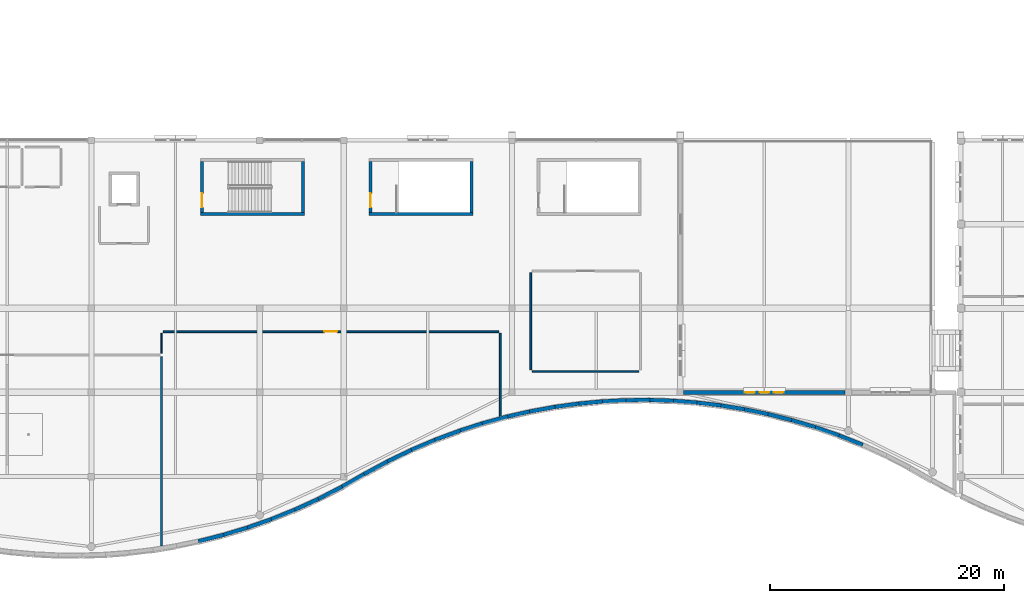
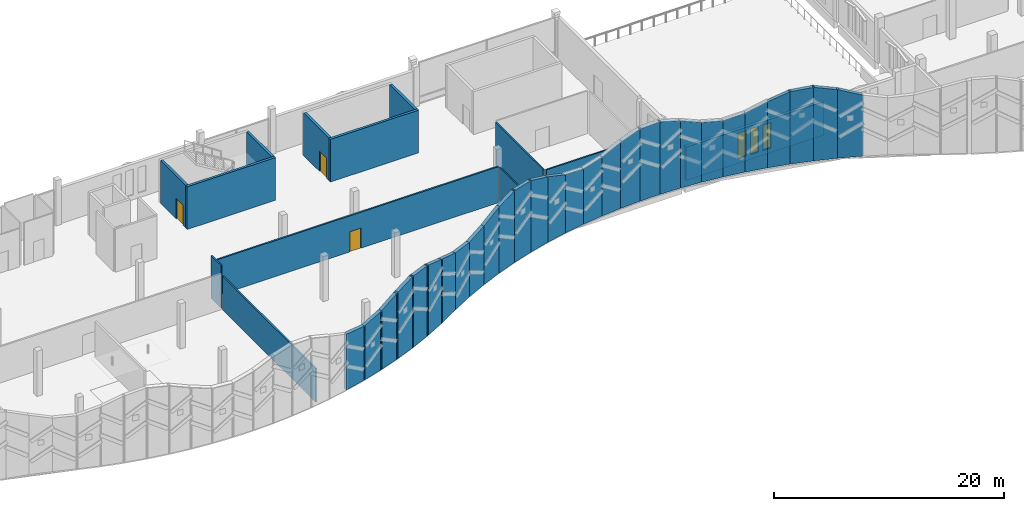
# One storey, part 85 of 116: 41 walls, 3 doors, 3 windows, 6 openings.
"""IFC4 building model written with IfcOpenShell, lengths in metres."""

from ifc_helpers import new_model, si_unit, direction, frame, frame_2d, origin, place, context, subcontext, project, spatial, polyline, rectangle, outline, extrude, material, layer, layer_set, type_object, element, fill, save


model = new_model("IFC4")

# Units and contexts
model_context = context("Model", 3, precision=1e-05, world=origin(), true_north=direction((0.0, 1.0)))
body_context = subcontext(model_context, "Body", "Model", "MODEL_VIEW")
ifc_project = project(units=[si_unit("LENGTHUNIT", "METRE"), si_unit("AREAUNIT", "SQUARE_METRE"), si_unit("VOLUMEUNIT", "CUBIC_METRE"), si_unit("PLANEANGLEUNIT", "RADIAN"), si_unit("MASSUNIT", "GRAM", prefix="KILO")], contexts=[model_context])

# Site, building, storey
site_placement = place(None, origin())
site = spatial("IfcSite", under=ifc_project, at=site_placement, CompositionType="ELEMENT")
building_placement = place(site_placement, origin())
building = spatial("IfcBuilding", under=site, at=building_placement, Name="Cendralis Lancet Convention Centre", CompositionType="ELEMENT")
storey_placement = place(building_placement, frame((0.0, 0.0, 15.0)))
storey = spatial("IfcBuildingStorey", under=building, at=storey_placement, Name="L03", CompositionType="ELEMENT", Elevation=15.0)

# Wall, openings, windows
ifc_material_1 = material(Name="Buff sandstone ashlar and Concrete G40 (C40/50)", Category="masonry")
ifc_layer_1 = layer(ifc_material_1, 0.320068359375, Name="Buff sandstone ashlar and Concrete G40 (C40/50)")
ifc_layer_set_1 = layer_set([ifc_layer_1], Name="Buff sandstone ashlar and Concrete G40 (C40/50)")
wall_type_1 = type_object("IfcWallType", Name="ARC-EW-W320", PredefinedType="STANDARD", material=ifc_layer_set_1)
wall_1_placement = place(storey_placement, frame((108.282958984375, 14.39990234375, 0.0), z_axis=(0.0, 0.0, 1.0), x_axis=(1.0, 0.0, 0.0)))
wall_1 = element("IfcWall", 1, at=wall_1_placement, inside=storey, type_object=wall_type_1, Name="L03 V4 Exterior Wall EW-06 #0226", PredefinedType="STANDARD", context=body_context, shape_type="SweptSolid", body=[
    extrude(rectangle(XDim=13.833984375, YDim=0.320068359375, at=frame_2d((6.9169921875, 0.0))), origin(), (0.0, 0.0, 1.0), 3.56494140625),
])
opening_1_placement = place(wall_1_placement, frame((5.257080078125, 0.0, 0.5)))
opening_1 = element("IfcOpeningElement", 2, at=opening_1_placement, cuts=wall_1, Name="Opening WN-15", PredefinedType="OPENING", context=body_context, shape_type="SweptSolid", body=[
    extrude(rectangle(XDim=0.840087890625, YDim=2.699951171875, at=frame_2d((0.419921875, 1.35009765625))), frame((0.0, 0.169921875, 0.0), z_axis=(0.0, -1.0, 0.0), x_axis=(1.0, 0.0, 0.0)), (0.0, 0.0, 1.0), 0.340087890625),
])
opening_2_placement = place(wall_1_placement, frame((6.51708984375, 0.0, 0.5)))
opening_2 = element("IfcOpeningElement", 3, at=opening_2_placement, cuts=wall_1, Name="Opening WN-07", PredefinedType="OPENING", context=body_context, shape_type="SweptSolid", body=[
    extrude(rectangle(XDim=0.800048828125, YDim=2.75, at=frame_2d((0.39990234375, 1.375))), frame((0.0, 0.169921875, 0.0), z_axis=(0.0, -1.0, 0.0), x_axis=(1.0, 0.0, 0.0)), (0.0, 0.0, 1.0), 0.340087890625),
])
opening_3_placement = place(wall_1_placement, frame((7.737060546875, 0.0, 0.5)))
opening_3 = element("IfcOpeningElement", 4, at=opening_3_placement, cuts=wall_1, Name="Opening WN-15", PredefinedType="OPENING", context=body_context, shape_type="SweptSolid", body=[
    extrude(rectangle(XDim=0.840087890625, YDim=2.699951171875, at=frame_2d((0.419921875, 1.35009765625))), frame((0.0, 0.169921875, 0.0), z_axis=(0.0, -1.0, 0.0), x_axis=(1.0, 0.0, 0.0)), (0.0, 0.0, 1.0), 0.340087890625),
])
ifc_material_2 = material(Name="Double-glazed low-E solar-control glass", Category="glass")
window_type_1 = type_object("IfcWindowType", Name="ARC-WN-LW07", PartitioningType="SINGLE_PANEL", PredefinedType="WINDOW", material=ifc_material_2)
window_1_placement = place(opening_2_placement, origin())
window_1 = element("IfcWindow", 5, at=window_1_placement, inside=storey, type_object=window_type_1, Name="Gothic Lancet Window WN-07 #0458", OverallHeight=2.75, OverallWidth=0.800048828125, PartitioningType="SINGLE_PANEL", PredefinedType="WINDOW", context=body_context, shape_type="SweptSolid", body=[
    extrude(rectangle(XDim=0.800048828125, YDim=2.75, at=frame_2d((0.39990234375, 1.375))), frame((0.0, 0.030029296875, 0.0), z_axis=(0.0, -1.0, 0.0), x_axis=(1.0, 0.0, 0.0)), (0.0, 0.0, 1.0), 0.06005859375),
])
fill(opening_2, window_1)
window_type_2 = type_object("IfcWindowType", Name="ARC-WN-LW15", PartitioningType="SINGLE_PANEL", PredefinedType="WINDOW", material=ifc_material_2)
window_2_placement = place(opening_1_placement, origin())
window_2 = element("IfcWindow", 6, at=window_2_placement, inside=storey, type_object=window_type_2, Name="Gothic Lancet Window WN-15 #0457", OverallHeight=2.699951171875, OverallWidth=0.840087890625, PartitioningType="SINGLE_PANEL", PredefinedType="WINDOW", context=body_context, shape_type="SweptSolid", body=[
    extrude(rectangle(XDim=0.840087890625, YDim=2.699951171875, at=frame_2d((0.419921875, 1.35009765625))), frame((0.0, 0.030029296875, 0.0), z_axis=(0.0, -1.0, 0.0), x_axis=(1.0, 0.0, 0.0)), (0.0, 0.0, 1.0), 0.06005859375),
])
fill(opening_1, window_2)
window_3_placement = place(opening_3_placement, origin())
window_3 = element("IfcWindow", 7, at=window_3_placement, inside=storey, type_object=window_type_2, Name="Gothic Lancet Window WN-15 #0459", OverallHeight=2.699951171875, OverallWidth=0.840087890625, PartitioningType="SINGLE_PANEL", PredefinedType="WINDOW", context=body_context, shape_type="SweptSolid", body=[
    extrude(rectangle(XDim=0.840087890625, YDim=2.699951171875, at=frame_2d((0.419921875, 1.35009765625))), frame((0.0, 0.030029296875, 0.0), z_axis=(0.0, -1.0, 0.0), x_axis=(1.0, 0.0, 0.0)), (0.0, 0.0, 1.0), 0.06005859375),
])
fill(opening_3, window_3)

# Walls
ifc_layer_2 = layer(ifc_material_1, 0.340087890625, Name="Buff sandstone ashlar and Concrete G40 (C40/50)")
ifc_layer_set_2 = layer_set([ifc_layer_2], Name="Buff sandstone ashlar and Concrete G40 (C40/50)")
wall_type_2 = type_object("IfcWallType", Name="ARC-EW-W340", PredefinedType="STANDARD", material=ifc_layer_set_2)
wall_2_placement = place(storey_placement, frame((66.75048828125, 1.656005859375, 0.0), z_axis=(0.0, 0.0, 1.0), x_axis=(0.969258997982, 0.246042668719, 0.0)))
element("IfcWall", 8, at=wall_2_placement, inside=storey, type_object=wall_type_2, Name="South Boulevard Wave Crest Wall L03 WP-034-WP-035", PredefinedType="STANDARD", context=body_context, shape_type="SweptSolid", body=[
    extrude(outline(polyline([(0.0, 0.0), (2.25927734375, 0.0), (2.25927734375, 5.739501953125), (0.0, 5.937255859375), (0.0, 0.0)])), frame((0.0, 0.169921875, 0.0), z_axis=(0.0, -1.0, 0.0), x_axis=(1.0, 0.0, 0.0)), (0.0, 0.0, 1.0), 0.340087890625),
])
wall_3_placement = place(storey_placement, frame((68.776611328125, 2.16650390625, 0.0), z_axis=(0.0, 0.0, 1.0), x_axis=(0.957628994577, 0.288004702643, 0.0)))
element("IfcWall", 9, at=wall_3_placement, inside=storey, type_object=wall_type_2, Name="South Boulevard Wave Crest Wall L03 WP-035-WP-036", PredefinedType="STANDARD", context=body_context, shape_type="SweptSolid", body=[
    extrude(outline(polyline([(0.0, 0.0), (2.284423828125, 0.0), (2.28466796875, 6.259033203125), (0.0, 5.72509765625), (0.0, 0.0)])), frame((0.0, 0.169921875, 0.0), z_axis=(0.0, -1.0, 0.0), x_axis=(1.0, 0.0, 0.0)), (0.0, 0.0, 1.0), 0.340087890625),
])
wall_4_placement = place(storey_placement, frame((70.802734375, 2.77197265625, 0.0), z_axis=(0.0, 0.0, 1.0), x_axis=(0.943963520868, 0.330049801197, 0.0)))
element("IfcWall", 10, at=wall_4_placement, inside=storey, type_object=wall_type_2, Name="South Boulevard Wave Crest Wall L03 WP-036-WP-037", PredefinedType="STANDARD", context=body_context, shape_type="SweptSolid", body=[
    extrude(outline(polyline([(0.0, 0.0), (2.315185546875, 0.0), (2.315185546875, 7.08154296875), (0.0, 6.198974609375), (0.0, 0.0)])), frame((0.0, 0.169921875, 0.0), z_axis=(0.0, -1.0, 0.0), x_axis=(1.0, 0.0, 0.0)), (0.0, 0.0, 1.0), 0.340087890625),
])
wall_5_placement = place(storey_placement, frame((72.8291015625, 3.476318359375, 0.0), z_axis=(0.0, 0.0, 1.0), x_axis=(0.928046758816, 0.372463707563, 0.0)))
element("IfcWall", 11, at=wall_5_placement, inside=storey, type_object=wall_type_2, Name="South Boulevard Wave Crest Wall L03 WP-037-WP-038", PredefinedType="STANDARD", context=body_context, shape_type="SweptSolid", body=[
    extrude(outline(polyline([(0.0, 0.0), (2.353271484375, 0.0), (2.35302734375, 7.6142578125), (0.0, 7.02001953125), (0.0, 0.0)])), frame((0.0, 0.169921875, 0.0), z_axis=(0.0, -1.0, 0.0), x_axis=(1.0, 0.0, 0.0)), (0.0, 0.0, 1.0), 0.340087890625),
])
wall_6_placement = place(storey_placement, frame((74.856689453125, 4.28564453125, 0.0), z_axis=(0.0, 0.0, 1.0), x_axis=(0.909912191501, 0.414800920633, 0.0)))
element("IfcWall", 12, at=wall_6_placement, inside=storey, type_object=wall_type_2, Name="South Boulevard Wave Crest Wall L03 WP-038-WP-039", PredefinedType="STANDARD", context=body_context, shape_type="SweptSolid", body=[
    extrude(outline(polyline([(0.0, 0.0), (2.3955078125, 0.0), (2.3955078125, 7.475341796875), (0.0, 7.5947265625), (0.0, 0.0)])), frame((0.0, 0.169921875, 0.0), z_axis=(0.0, -1.0, 0.0), x_axis=(1.0, 0.0, 0.0)), (0.0, 0.0, 1.0), 0.340087890625),
])
wall_7_placement = place(storey_placement, frame((76.88330078125, 5.205078125, 0.0), z_axis=(0.0, 0.0, 1.0), x_axis=(0.889545097509, 0.456847370024, 0.0)))
element("IfcWall", 13, at=wall_7_placement, inside=storey, type_object=wall_type_2, Name="South Boulevard Wave Crest Wall L03 WP-039-WP-040", PredefinedType="STANDARD", context=body_context, shape_type="SweptSolid", body=[
    extrude(outline(polyline([(0.0, 0.0), (2.446533203125, 0.0), (2.4462890625, 6.774658203125), (0.0, 7.510009765625), (0.0, 0.0)])), frame((0.0, 0.169921875, 0.0), z_axis=(0.0, -1.0, 0.0), x_axis=(1.0, 0.0, 0.0)), (0.0, 0.0, 1.0), 0.340087890625),
])
wall_8_placement = place(storey_placement, frame((78.91015625, 6.241943359375, 0.0), z_axis=(0.0, 0.0, 1.0), x_axis=(0.86862731291, 0.495466034423, 0.0)))
element("IfcWall", 14, at=wall_8_placement, inside=storey, type_object=wall_type_2, Name="South Boulevard Wave Crest Wall L03 WP-040-WP-041", PredefinedType="STANDARD", context=body_context, shape_type="SweptSolid", body=[
    extrude(outline(polyline([(0.0, 0.0), (2.501220703125, 0.0), (2.501220703125, 6.031494140625), (0.0, 6.83544921875), (0.0, 0.0)])), frame((0.0, 0.169921875, 0.0), z_axis=(0.0, -1.0, 0.0), x_axis=(1.0, 0.0, 0.0)), (0.0, 0.0, 1.0), 0.340087890625),
])
wall_9_placement = place(storey_placement, frame((80.93408203125, 7.398681640625, 0.0), z_axis=(0.0, 0.0, 1.0), x_axis=(0.88020761941, 0.474588818593, 0.0)))
element("IfcWall", 15, at=wall_9_placement, inside=storey, type_object=wall_type_2, Name="South Boulevard Wave Crest Wall L03 WP-041-WP-042", PredefinedType="STANDARD", context=body_context, shape_type="SweptSolid", body=[
    extrude(outline(polyline([(0.0, 0.0), (2.470703125, 0.0), (2.470703125, 5.79638671875), (0.0, 6.07421875), (0.0, 0.0)])), frame((0.0, 0.169921875, 0.0), z_axis=(0.0, -1.0, 0.0), x_axis=(1.0, 0.0, 0.0)), (0.0, 0.0, 1.0), 0.340087890625),
])
wall_10_placement = place(storey_placement, frame((82.95751953125, 8.494140625, 0.0), z_axis=(0.0, 0.0, 1.0), x_axis=(0.901581367557, 0.432609567247, 0.0)))
element("IfcWall", 16, at=wall_10_placement, inside=storey, type_object=wall_type_2, Name="South Boulevard Wave Crest Wall L03 WP-042-WP-043", PredefinedType="STANDARD", context=body_context, shape_type="SweptSolid", body=[
    extrude(outline(polyline([(0.0, 0.0), (2.4169921875, 0.0), (2.4169921875, 6.2509765625), (0.0, 5.789306640625), (0.0, 0.0)])), frame((0.0, 0.169921875, 0.0), z_axis=(0.0, -1.0, 0.0), x_axis=(1.0, 0.0, 0.0)), (0.0, 0.0, 1.0), 0.340087890625),
])
wall_11_placement = place(storey_placement, frame((84.981689453125, 9.4697265625, 0.0), z_axis=(0.0, 0.0, 1.0), x_axis=(0.920731016791, 0.39019789174, 0.0)))
element("IfcWall", 17, at=wall_11_placement, inside=storey, type_object=wall_type_2, Name="South Boulevard Wave Crest Wall L03 WP-043-WP-044", PredefinedType="STANDARD", context=body_context, shape_type="SweptSolid", body=[
    extrude(outline(polyline([(0.0, 0.0), (2.369384765625, 0.0), (2.369384765625, 7.06982421875), (0.0, 6.196533203125), (0.0, 0.0)])), frame((0.0, 0.169921875, 0.0), z_axis=(0.0, -1.0, 0.0), x_axis=(1.0, 0.0, 0.0)), (0.0, 0.0, 1.0), 0.340087890625),
])
wall_12_placement = place(storey_placement, frame((87.00537109375, 10.331298828125, 0.0), z_axis=(0.0, 0.0, 1.0), x_axis=(0.937431134524, 0.348170745504, 0.0)))
element("IfcWall", 18, at=wall_12_placement, inside=storey, type_object=wall_type_2, Name="South Boulevard Wave Crest Wall L03 WP-044-WP-045", PredefinedType="STANDARD", context=body_context, shape_type="SweptSolid", body=[
    extrude(outline(polyline([(0.0, 0.0), (2.330078125, 0.0), (2.330078125, 7.6611328125), (0.0, 7.00634765625), (0.0, 0.0)])), frame((0.0, 0.169921875, 0.0), z_axis=(0.0, -1.0, 0.0), x_axis=(1.0, 0.0, 0.0)), (0.0, 0.0, 1.0), 0.340087890625),
])
wall_13_placement = place(storey_placement, frame((89.029052734375, 11.0869140625, 0.0), z_axis=(0.0, 0.0, 1.0), x_axis=(0.951998698531, 0.306102071203, 0.0)))
element("IfcWall", 19, at=wall_13_placement, inside=storey, type_object=wall_type_2, Name="South Boulevard Wave Crest Wall L03 WP-045-WP-046", PredefinedType="STANDARD", context=body_context, shape_type="SweptSolid", body=[
    extrude(outline(polyline([(0.0, 0.0), (2.297119140625, 0.0), (2.297119140625, 7.60009765625), (0.0, 7.635009765625), (0.0, 0.0)])), frame((0.0, 0.169921875, 0.0), z_axis=(0.0, -1.0, 0.0), x_axis=(1.0, 0.0, 0.0)), (0.0, 0.0, 1.0), 0.340087890625),
])
wall_14_placement = place(storey_placement, frame((91.052978515625, 11.74169921875, 0.0), z_axis=(0.0, 0.0, 1.0), x_axis=(0.964609795195, 0.263681518151, 0.0)))
element("IfcWall", 20, at=wall_14_placement, inside=storey, type_object=wall_type_2, Name="South Boulevard Wave Crest Wall L03 WP-046-WP-047", PredefinedType="STANDARD", context=body_context, shape_type="SweptSolid", body=[
    extrude(outline(polyline([(0.0, 0.0), (2.270263671875, 0.0), (2.2705078125, 6.938720703125), (0.0, 7.631103515625), (0.0, 0.0)])), frame((0.0, 0.169921875, 0.0), z_axis=(0.0, -1.0, 0.0), x_axis=(1.0, 0.0, 0.0)), (0.0, 0.0, 1.0), 0.340087890625),
])
wall_15_placement = place(storey_placement, frame((93.078125, 12.29931640625, 0.0), z_axis=(0.0, 0.0, 1.0), x_axis=(0.97525761738, 0.221071435835, 0.0)))
element("IfcWall", 21, at=wall_15_placement, inside=storey, type_object=wall_type_2, Name="South Boulevard Wave Crest Wall L03 WP-047-WP-048", PredefinedType="STANDARD", context=body_context, shape_type="SweptSolid", body=[
    extrude(outline(polyline([(0.0, 0.0), (2.246337890625, 0.0), (2.246337890625, 6.169677734375), (0.0, 7.0048828125), (0.0, 0.0)])), frame((0.0, 0.169921875, 0.0), z_axis=(0.0, -1.0, 0.0), x_axis=(1.0, 0.0, 0.0)), (0.0, 0.0, 1.0), 0.340087890625),
])
wall_16_placement = place(storey_placement, frame((95.102294921875, 12.76171875, 0.0), z_axis=(0.0, 0.0, 1.0), x_axis=(0.983806745021, 0.179232498313, 0.0)))
element("IfcWall", 22, at=wall_16_placement, inside=storey, type_object=wall_type_2, Name="South Boulevard Wave Crest Wall L03 WP-048-WP-049", PredefinedType="STANDARD", context=body_context, shape_type="SweptSolid", body=[
    extrude(outline(polyline([(0.0, 0.0), (2.228515625, 0.0), (2.228271484375, 5.86328125), (0.0, 6.221923828125), (0.0, 0.0)])), frame((0.0, 0.169921875, 0.0), z_axis=(0.0, -1.0, 0.0), x_axis=(1.0, 0.0, 0.0)), (0.0, 0.0, 1.0), 0.340087890625),
])
wall_17_placement = place(storey_placement, frame((97.126708984375, 13.134521484375, 0.0), z_axis=(0.0, 0.0, 1.0), x_axis=(0.990595897683, 0.136820201338, 0.0)))
element("IfcWall", 23, at=wall_17_placement, inside=storey, type_object=wall_type_2, Name="South Boulevard Wave Crest Wall L03 WP-049-WP-050", PredefinedType="STANDARD", context=body_context, shape_type="SweptSolid", body=[
    extrude(outline(polyline([(0.0, 0.0), (2.21435546875, 0.0), (2.21435546875, 6.251708984375), (0.0, 5.8623046875), (0.0, 0.0)])), frame((0.0, 0.169921875, 0.0), z_axis=(0.0, -1.0, 0.0), x_axis=(1.0, 0.0, 0.0)), (0.0, 0.0, 1.0), 0.340087890625),
])
wall_18_placement = place(storey_placement, frame((99.1513671875, 13.41796875, 0.0), z_axis=(0.0, 0.0, 1.0), x_axis=(0.995489001927, 0.094877010081, 0.0)))
element("IfcWall", 24, at=wall_18_placement, inside=storey, type_object=wall_type_2, Name="South Boulevard Wave Crest Wall L03 WP-050-WP-051", PredefinedType="STANDARD", context=body_context, shape_type="SweptSolid", body=[
    extrude(outline(polyline([(0.0, 0.0), (2.205322265625, 0.0), (2.205078125, 7.058349609375), (0.0, 6.1962890625), (0.0, 0.0)])), frame((0.0, 0.169921875, 0.0), z_axis=(0.0, -1.0, 0.0), x_axis=(1.0, 0.0, 0.0)), (0.0, 0.0, 1.0), 0.340087890625),
])
wall_19_placement = place(storey_placement, frame((101.177001953125, 13.614501953125, 0.0), z_axis=(0.0, 0.0, 1.0), x_axis=(0.998607068728, 0.052762887391, 0.0)))
element("IfcWall", 25, at=wall_19_placement, inside=storey, type_object=wall_type_2, Name="South Boulevard Wave Crest Wall L03 WP-051-WP-052", PredefinedType="STANDARD", context=body_context, shape_type="SweptSolid", body=[
    extrude(outline(polyline([(0.0, 0.0), (2.197998046875, 0.0), (2.197998046875, 7.70068359375), (0.0, 6.988525390625), (0.0, 0.0)])), frame((0.0, 0.169921875, 0.0), z_axis=(0.0, -1.0, 0.0), x_axis=(1.0, 0.0, 0.0)), (0.0, 0.0, 1.0), 0.340087890625),
])
wall_20_placement = place(storey_placement, frame((103.201904296875, 13.72509765625, 0.0), z_axis=(0.0, 0.0, 1.0), x_axis=(0.999946508465, 0.010343123711, 0.0)))
element("IfcWall", 26, at=wall_20_placement, inside=storey, type_object=wall_type_2, Name="South Boulevard Wave Crest Wall L03 WP-052-WP-053", PredefinedType="STANDARD", context=body_context, shape_type="SweptSolid", body=[
    extrude(outline(polyline([(0.0, 0.0), (2.195068359375, 0.0), (2.195068359375, 7.716796875), (0.0, 7.666748046875), (0.0, 0.0)])), frame((0.0, 0.169921875, 0.0), z_axis=(0.0, -1.0, 0.0), x_axis=(1.0, 0.0, 0.0)), (0.0, 0.0, 1.0), 0.340087890625),
])
wall_21_placement = place(storey_placement, frame((105.22705078125, 13.749755859375, 0.0), z_axis=(0.0, 0.0, 1.0), x_axis=(0.999501499211, -0.031571396483, 0.0)))
element("IfcWall", 27, at=wall_21_placement, inside=storey, type_object=wall_type_2, Name="South Boulevard Wave Crest Wall L03 WP-053-WP-054", PredefinedType="STANDARD", context=body_context, shape_type="SweptSolid", body=[
    extrude(outline(polyline([(0.0, 0.0), (2.196044921875, 0.0), (2.196044921875, 7.10302734375), (0.0, 7.7431640625), (0.0, 0.0)])), frame((0.0, 0.169921875, 0.0), z_axis=(0.0, -1.0, 0.0), x_axis=(1.0, 0.0, 0.0)), (0.0, 0.0, 1.0), 0.340087890625),
])
wall_22_placement = place(storey_placement, frame((107.252197265625, 13.689208984375, 0.0), z_axis=(0.0, 0.0, 1.0), x_axis=(0.997266543485, -0.073888031812, 0.0)))
element("IfcWall", 28, at=wall_22_placement, inside=storey, type_object=wall_type_2, Name="South Boulevard Wave Crest Wall L03 WP-054-WP-055", PredefinedType="STANDARD", context=body_context, shape_type="SweptSolid", body=[
    extrude(outline(polyline([(0.0, 0.0), (2.20068359375, 0.0), (2.20068359375, 6.31591796875), (0.0, 7.16943359375), (0.0, 0.0)])), frame((0.0, 0.169921875, 0.0), z_axis=(0.0, -1.0, 0.0), x_axis=(1.0, 0.0, 0.0)), (0.0, 0.0, 1.0), 0.340087890625),
])
wall_23_placement = place(storey_placement, frame((109.277587890625, 13.54296875, 0.0), z_axis=(0.0, 0.0, 1.0), x_axis=(0.993222810679, -0.116225850593, 0.0)))
element("IfcWall", 29, at=wall_23_placement, inside=storey, type_object=wall_type_2, Name="South Boulevard Wave Crest Wall L03 WP-055-WP-056", PredefinedType="STANDARD", context=body_context, shape_type="SweptSolid", body=[
    extrude(outline(polyline([(0.0, 0.0), (2.209716796875, 0.0), (2.209716796875, 5.938720703125), (0.0, 6.373046875), (0.0, 0.0)])), frame((0.0, 0.169921875, 0.0), z_axis=(0.0, -1.0, 0.0), x_axis=(1.0, 0.0, 0.0)), (0.0, 0.0, 1.0), 0.340087890625),
])
wall_24_placement = place(storey_placement, frame((111.30419921875, 13.3095703125, 0.0), z_axis=(0.0, 0.0, 1.0), x_axis=(0.987354042935, -0.158530734875, 0.0)))
element("IfcWall", 30, at=wall_24_placement, inside=storey, type_object=wall_type_2, Name="South Boulevard Wave Crest Wall L03 WP-056-WP-057", PredefinedType="STANDARD", context=body_context, shape_type="SweptSolid", body=[
    extrude(outline(polyline([(0.0, 0.0), (2.220703125, 0.0), (2.220947265625, 6.255126953125), (0.0, 5.9443359375), (0.0, 0.0)])), frame((0.0, 0.169921875, 0.0), z_axis=(0.0, -1.0, 0.0), x_axis=(1.0, 0.0, 0.0)), (0.0, 0.0, 1.0), 0.340087890625),
])
wall_25_placement = place(storey_placement, frame((113.32958984375, 12.988037109375, 0.0), z_axis=(0.0, 0.0, 1.0), x_axis=(0.979633533844, -0.200793773229, 0.0)))
element("IfcWall", 31, at=wall_25_placement, inside=storey, type_object=wall_type_2, Name="South Boulevard Wave Crest Wall L03 WP-057-WP-058", PredefinedType="STANDARD", context=body_context, shape_type="SweptSolid", body=[
    extrude(outline(polyline([(0.0, 0.0), (2.2373046875, 0.0), (2.2373046875, 7.041259765625), (0.0, 6.205078125), (0.0, 0.0)])), frame((0.0, 0.169921875, 0.0), z_axis=(0.0, -1.0, 0.0), x_axis=(1.0, 0.0, 0.0)), (0.0, 0.0, 1.0), 0.340087890625),
])
wall_26_placement = place(storey_placement, frame((115.35546875, 12.57666015625, 0.0), z_axis=(0.0, 0.0, 1.0), x_axis=(0.970155222992, -0.242484727976, 0.0)))
element("IfcWall", 32, at=wall_26_placement, inside=storey, type_object=wall_type_2, Name="South Boulevard Wave Crest Wall L03 WP-058-WP-059", PredefinedType="STANDARD", context=body_context, shape_type="SweptSolid", body=[
    extrude(outline(polyline([(0.0, 0.0), (2.25732421875, 0.0), (2.25732421875, 7.73046875), (0.0, 6.97216796875), (0.0, 0.0)])), frame((0.0, 0.169921875, 0.0), z_axis=(0.0, -1.0, 0.0), x_axis=(1.0, 0.0, 0.0)), (0.0, 0.0, 1.0), 0.340087890625),
])
wall_27_placement = place(storey_placement, frame((117.381591796875, 12.07421875, 0.0), z_axis=(0.0, 0.0, 1.0), x_axis=(0.958465298996, -0.285209169944, 0.0)))
element("IfcWall", 33, at=wall_27_placement, inside=storey, type_object=wall_type_2, Name="South Boulevard Wave Crest Wall L03 WP-059-WP-060", PredefinedType="STANDARD", context=body_context, shape_type="SweptSolid", body=[
    extrude(outline(polyline([(0.0, 0.0), (2.283935546875, 0.0), (2.283935546875, 7.82666015625), (0.0, 7.692138671875), (0.0, 0.0)])), frame((0.0, 0.169921875, 0.0), z_axis=(0.0, -1.0, 0.0), x_axis=(1.0, 0.0, 0.0)), (0.0, 0.0, 1.0), 0.340087890625),
])
wall_28_placement = place(storey_placement, frame((119.40869140625, 11.474853515625, 0.0), z_axis=(0.0, 0.0, 1.0), x_axis=(0.944978543107, -0.327132317369, 0.0)))
element("IfcWall", 34, at=wall_28_placement, inside=storey, type_object=wall_type_2, Name="South Boulevard Wave Crest Wall L03 WP-060-WP-061", PredefinedType="STANDARD", context=body_context, shape_type="SweptSolid", body=[
    extrude(outline(polyline([(0.0, 0.0), (2.312744140625, 0.0), (2.31298828125, 7.267578125), (0.0, 7.845703125), (0.0, 0.0)])), frame((0.0, 0.169921875, 0.0), z_axis=(0.0, -1.0, 0.0), x_axis=(1.0, 0.0, 0.0)), (0.0, 0.0, 1.0), 0.340087890625),
])
wall_29_placement = place(storey_placement, frame((121.43505859375, 10.77734375, 0.0), z_axis=(0.0, 0.0, 1.0), x_axis=(0.929277325209, -0.369382799887, 0.0)))
element("IfcWall", 35, at=wall_29_placement, inside=storey, type_object=wall_type_2, Name="South Boulevard Wave Crest Wall L03 WP-061-WP-062", PredefinedType="STANDARD", context=body_context, shape_type="SweptSolid", body=[
    extrude(outline(polyline([(0.0, 0.0), (2.348876953125, 0.0), (2.34912109375, 6.4697265625), (0.0, 7.327880859375), (0.0, 0.0)])), frame((0.0, 0.169921875, 0.0), z_axis=(0.0, -1.0, 0.0), x_axis=(1.0, 0.0, 0.0)), (0.0, 0.0, 1.0), 0.340087890625),
])
ifc_material_3 = material(Name="Acoustic fire-rated gypsum board on steel studs", Category="steel")
ifc_layer_3 = layer(ifc_material_3, 0.1201171875, Name="Acoustic fire-rated gypsum board on steel studs")
ifc_layer_set_3 = layer_set([ifc_layer_3], Name="Acoustic fire-rated gypsum board on steel studs")
wall_type_3 = type_object("IfcWallType", Name="ARC-IW-P120", PredefinedType="PARTITIONING", material=ifc_layer_set_3)
wall_30_placement = place(storey_placement, frame((63.60009765625, 17.739990234375, 0.0), z_axis=(0.0, 0.0, 1.0), x_axis=(0.0, 1.0, 0.0)))
element("IfcWall", 36, at=wall_30_placement, inside=storey, type_object=wall_type_3, Name="L03 Interior Partition IW-05 #0289", PredefinedType="PARTITIONING", context=body_context, shape_type="SweptSolid", body=[
    extrude(rectangle(XDim=1.719970703125, YDim=0.1201171875, at=frame_2d((0.85986328125, 0.0))), origin(), (0.0, 0.0, 1.0), 4.534912109375),
])
ifc_layer_4 = layer(ifc_material_3, 0.139892578125, Name="Acoustic fire-rated gypsum board on steel studs")
ifc_layer_set_4 = layer_set([ifc_layer_4], Name="Acoustic fire-rated gypsum board on steel studs")
wall_type_4 = type_object("IfcWallType", Name="ARC-IW-P140", PredefinedType="PARTITIONING", material=ifc_layer_set_4)
wall_31_placement = place(storey_placement, frame((92.60009765625, 12.36376953125, 0.0), z_axis=(0.0, 0.0, 1.0), x_axis=(0.0, 1.0, 0.0)))
element("IfcWall", 37, at=wall_31_placement, inside=storey, type_object=wall_type_4, Name="L03 Interior Partition IW-04 #0291", PredefinedType="PARTITIONING", context=body_context, shape_type="SweptSolid", body=[
    extrude(rectangle(XDim=7.09619140625, YDim=0.139892578125, at=frame_2d((3.548095703125, 0.0))), origin(), (0.0, 0.0, 1.0), 3.784912109375),
])
wall_32_placement = place(storey_placement, frame((95.340087890625, 16.199951171875, 0.0), z_axis=(0.0, 0.0, 1.0), x_axis=(1.0, 0.0, 0.0)))
element("IfcWall", 38, at=wall_32_placement, inside=storey, type_object=wall_type_4, Name="L03 Interior Partition IW-04 #0292", PredefinedType="PARTITIONING", context=body_context, shape_type="SweptSolid", body=[
    extrude(rectangle(XDim=9.119873046875, YDim=0.139892578125, at=frame_2d((4.56005859375, 0.0))), origin(), (0.0, 0.0, 1.0), 4.534912109375),
])
wall_33_placement = place(storey_placement, frame((95.199951171875, 16.340087890625, 0.0), z_axis=(0.0, 0.0, 1.0), x_axis=(0.0, 1.0, 0.0)))
element("IfcWall", 39, at=wall_33_placement, inside=storey, type_object=wall_type_4, Name="L03 Interior Partition IW-04 #0294", PredefinedType="PARTITIONING", context=body_context, shape_type="SweptSolid", body=[
    extrude(rectangle(XDim=8.31982421875, YDim=0.139892578125, at=frame_2d((4.159912109375, 0.0))), origin(), (0.0, 0.0, 1.0), 4.534912109375),
])
ifc_layer_5 = layer(ifc_material_3, 0.159912109375, Name="Acoustic fire-rated gypsum board on steel studs")
ifc_layer_set_5 = layer_set([ifc_layer_5], Name="Acoustic fire-rated gypsum board on steel studs")
wall_type_5 = type_object("IfcWallType", Name="ARC-IW-P160", PredefinedType="PARTITIONING", material=ifc_layer_set_5)
wall_34_placement = place(storey_placement, frame((63.60009765625, 1.23779296875, 0.0), z_axis=(0.0, 0.0, 1.0), x_axis=(0.0, 1.0, 0.0)))
element("IfcWall", 40, at=wall_34_placement, inside=storey, type_object=wall_type_5, Name="L03 Interior Partition IW-03 #0288", PredefinedType="PARTITIONING", context=body_context, shape_type="SweptSolid", body=[
    extrude(rectangle(XDim=16.22216796875, YDim=0.159912109375, at=frame_2d((8.111083984375, 0.0))), origin(), (0.0, 0.0, 1.0), 3.56494140625),
])

# Wall, opening, door
wall_35_placement = place(storey_placement, frame((63.739990234375, 19.60009765625, 0.0), z_axis=(0.0, 0.0, 1.0), x_axis=(1.0, 0.0, 0.0)))
wall_35 = element("IfcWall", 41, at=wall_35_placement, inside=storey, type_object=wall_type_5, Name="L03 Interior Partition IW-03 #0290", PredefinedType="PARTITIONING", context=body_context, shape_type="SweptSolid", body=[
    extrude(rectangle(XDim=28.719970703125, YDim=0.159912109375, at=frame_2d((14.35986328125, 0.0))), origin(), (0.0, 0.0, 1.0), 3.8349609375),
])
opening_4_placement = place(wall_35_placement, frame((13.81005859375, 0.0, 0.0)))
opening_4 = element("IfcOpeningElement", 42, at=opening_4_placement, cuts=wall_35, Name="Opening FD-11", PredefinedType="OPENING", context=body_context, shape_type="SweptSolid", body=[
    extrude(rectangle(XDim=1.10009765625, YDim=2.14990234375, at=frame_2d((0.550048828125, 1.074951171875))), frame((0.0, 0.08984375, 0.0), z_axis=(0.0, -1.0, 0.0), x_axis=(1.0, 0.0, 0.0)), (0.0, 0.0, 1.0), 0.179931640625),
])
ifc_material_4 = material(Name="Steel S355", Category="steel")
door_type_1 = type_object("IfcDoorType", Name="ARC-DR-FF11", OperationType="NOTDEFINED", PredefinedType="DOOR", material=ifc_material_4)
door_1_placement = place(opening_4_placement, origin())
door_1 = element("IfcDoor", 43, at=door_1_placement, inside=storey, type_object=door_type_1, Name="L03-D016 L03 Interior Door FD-11 #0096", OperationType="SINGLE_SWING_LEFT", OverallHeight=2.14990234375, OverallWidth=1.10009765625, PredefinedType="DOOR", context=body_context, shape_type="SweptSolid", body=[
    extrude(rectangle(XDim=1.10009765625, YDim=2.14990234375, at=frame_2d((0.550048828125, 1.074951171875))), frame((0.0, 0.02490234375, 0.0), z_axis=(0.0, -1.0, 0.0), x_axis=(1.0, 0.0, 0.0)), (0.0, 0.0, 1.0), 0.050048828125),
])
fill(opening_4, door_1)

ifc_material_5 = material(Name="Concrete G40 (C40/50)", Category="concrete")
ifc_layer_6 = layer(ifc_material_5, 0.25, Name="Concrete G40 (C40/50)")
ifc_layer_set_6 = layer_set([ifc_layer_6], Name="Concrete G40 (C40/50)")
wall_type_6 = type_object("IfcWallType", Name="STR-SW-CW250", PredefinedType="SHEAR", material=ifc_layer_set_6)
wall_36_placement = place(storey_placement, frame((67.074951171875, 29.800048828125, 0.0), z_axis=(0.0, 0.0, 1.0), x_axis=(0.0, 1.0, 0.0)))
wall_36 = element("IfcWall", 44, at=wall_36_placement, inside=storey, type_object=wall_type_6, Name="L03 Stair Core ST-12 West Shear Wall", PredefinedType="SHEAR", context=body_context, shape_type="SweptSolid", body=[
    extrude(rectangle(XDim=4.3798828125, YDim=0.25, at=frame_2d((2.18994140625, 0.0))), origin(), (0.0, 0.0, 1.0), 4.550048828125),
])
opening_5_placement = place(wall_36_placement, frame((0.449951171875, 0.0, 0.0)))
opening_5 = element("IfcOpeningElement", 45, at=opening_5_placement, cuts=wall_36, Name="Opening SD-12", PredefinedType="OPENING", context=body_context, shape_type="SweptSolid", body=[
    extrude(rectangle(XDim=1.199951171875, YDim=2.14990234375, at=frame_2d((0.60009765625, 1.074951171875))), frame((0.0, 0.135009765625, 0.0), z_axis=(0.0, -1.0, 0.0), x_axis=(1.0, 0.0, 0.0)), (0.0, 0.0, 1.0), 0.27001953125),
])
door_type_2 = type_object("IfcDoorType", Name="ARC-DR-ST12", OperationType="NOTDEFINED", PredefinedType="DOOR", material=ifc_material_4)
door_2_placement = place(opening_5_placement, frame((1.199951171875, 0.0, 0.0), z_axis=(0.0, 0.0, 1.0), x_axis=(-1.0, 0.0, 0.0)))
door_2 = element("IfcDoor", 46, at=door_2_placement, inside=storey, type_object=door_type_2, Name="L03-D056 L03 Exit Stair ST-12 Fire Door", OperationType="SINGLE_SWING_LEFT", OverallHeight=2.14990234375, OverallWidth=1.199951171875, PredefinedType="DOOR", context=body_context, shape_type="SweptSolid", body=[
    extrude(rectangle(XDim=1.199951171875, YDim=2.14990234375, at=frame_2d((0.60009765625, 1.074951171875))), frame((0.0, 0.02490234375, 0.0), z_axis=(0.0, -1.0, 0.0), x_axis=(1.0, 0.0, 0.0)), (0.0, 0.0, 1.0), 0.050048828125),
])
fill(opening_5, door_2)

# Walls
wall_37_placement = place(storey_placement, frame((75.72509765625, 29.800048828125, 0.0), z_axis=(0.0, 0.0, 1.0), x_axis=(0.0, 1.0, 0.0)))
element("IfcWall", 47, at=wall_37_placement, inside=storey, type_object=wall_type_6, Name="L03 Stair Core ST-12 East Shear Wall", PredefinedType="SHEAR", context=body_context, shape_type="SweptSolid", body=[
    extrude(rectangle(XDim=4.3798828125, YDim=0.25, at=frame_2d((2.18994140625, 0.0))), origin(), (0.0, 0.0, 1.0), 4.550048828125),
])
wall_38_placement = place(storey_placement, frame((66.949951171875, 29.675048828125, 0.0), z_axis=(0.0, 0.0, 1.0), x_axis=(1.0, 0.0, 0.0)))
element("IfcWall", 48, at=wall_38_placement, inside=storey, type_object=wall_type_6, Name="L03 Stair Core ST-12 South Shear Wall", PredefinedType="SHEAR", context=body_context, shape_type="SweptSolid", body=[
    extrude(rectangle(XDim=8.900146484375, YDim=0.25, at=frame_2d((4.4501953125, 0.0))), origin(), (0.0, 0.0, 1.0), 4.550048828125),
])

# Wall, opening, door
wall_39_placement = place(storey_placement, frame((81.47509765625, 29.800048828125, 0.0), z_axis=(0.0, 0.0, 1.0), x_axis=(0.0, 1.0, 0.0)))
wall_39 = element("IfcWall", 49, at=wall_39_placement, inside=storey, type_object=wall_type_6, Name="L03 Stair Core ST-21 West Shear Wall", PredefinedType="SHEAR", context=body_context, shape_type="SweptSolid", body=[
    extrude(rectangle(XDim=4.3798828125, YDim=0.25, at=frame_2d((2.18994140625, 0.0))), origin(), (0.0, 0.0, 1.0), 4.550048828125),
])
opening_6_placement = place(wall_39_placement, frame((0.449951171875, 0.0, 0.0)))
opening_6 = element("IfcOpeningElement", 50, at=opening_6_placement, cuts=wall_39, Name="Opening SD-12", PredefinedType="OPENING", context=body_context, shape_type="SweptSolid", body=[
    extrude(rectangle(XDim=1.199951171875, YDim=2.14990234375, at=frame_2d((0.60009765625, 1.074951171875))), frame((0.0, 0.135009765625, 0.0), z_axis=(0.0, -1.0, 0.0), x_axis=(1.0, 0.0, 0.0)), (0.0, 0.0, 1.0), 0.27001953125),
])
door_3_placement = place(opening_6_placement, frame((1.199951171875, 0.0, 0.0), z_axis=(0.0, 0.0, 1.0), x_axis=(-1.0, 0.0, 0.0)))
door_3 = element("IfcDoor", 51, at=door_3_placement, inside=storey, type_object=door_type_2, Name="L03-D064 L03 Exit Stair ST-21 Fire Door", OperationType="SINGLE_SWING_LEFT", OverallHeight=2.14990234375, OverallWidth=1.199951171875, PredefinedType="DOOR", context=body_context, shape_type="SweptSolid", body=[
    extrude(rectangle(XDim=1.199951171875, YDim=2.14990234375, at=frame_2d((0.60009765625, 1.074951171875))), frame((0.0, 0.02490234375, 0.0), z_axis=(0.0, -1.0, 0.0), x_axis=(1.0, 0.0, 0.0)), (0.0, 0.0, 1.0), 0.050048828125),
])
fill(opening_6, door_3)

# Walls
wall_40_placement = place(storey_placement, frame((90.125, 29.800048828125, 0.0), z_axis=(0.0, 0.0, 1.0), x_axis=(0.0, 1.0, 0.0)))
element("IfcWall", 52, at=wall_40_placement, inside=storey, type_object=wall_type_6, Name="L03 Stair Core ST-21 East Shear Wall", PredefinedType="SHEAR", context=body_context, shape_type="SweptSolid", body=[
    extrude(rectangle(XDim=4.3798828125, YDim=0.25, at=frame_2d((2.18994140625, 0.0))), origin(), (0.0, 0.0, 1.0), 4.550048828125),
])
wall_41_placement = place(storey_placement, frame((81.35009765625, 29.675048828125, 0.0), z_axis=(0.0, 0.0, 1.0), x_axis=(1.0, 0.0, 0.0)))
element("IfcWall", 53, at=wall_41_placement, inside=storey, type_object=wall_type_6, Name="L03 Stair Core ST-21 South Shear Wall", PredefinedType="SHEAR", context=body_context, shape_type="SweptSolid", body=[
    extrude(rectangle(XDim=8.89990234375, YDim=0.25, at=frame_2d((4.449951171875, 0.0))), origin(), (0.0, 0.0, 1.0), 4.550048828125),
])

save(model, "model.ifc")
